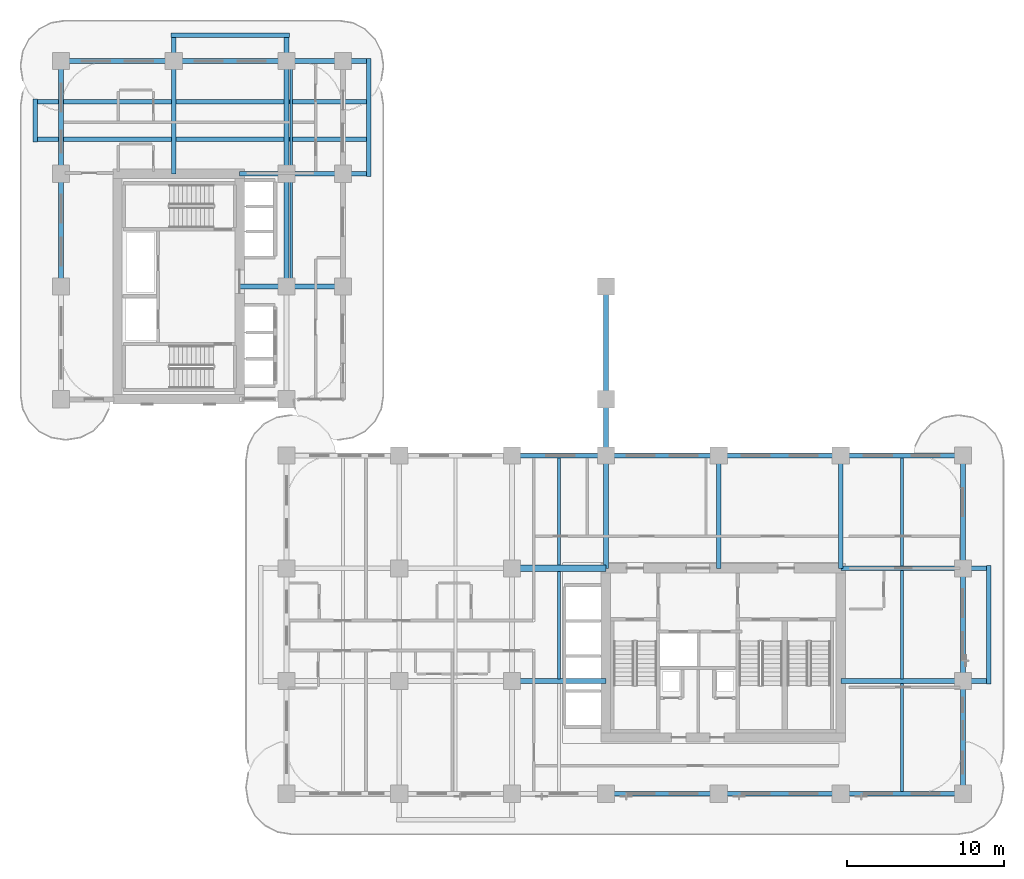
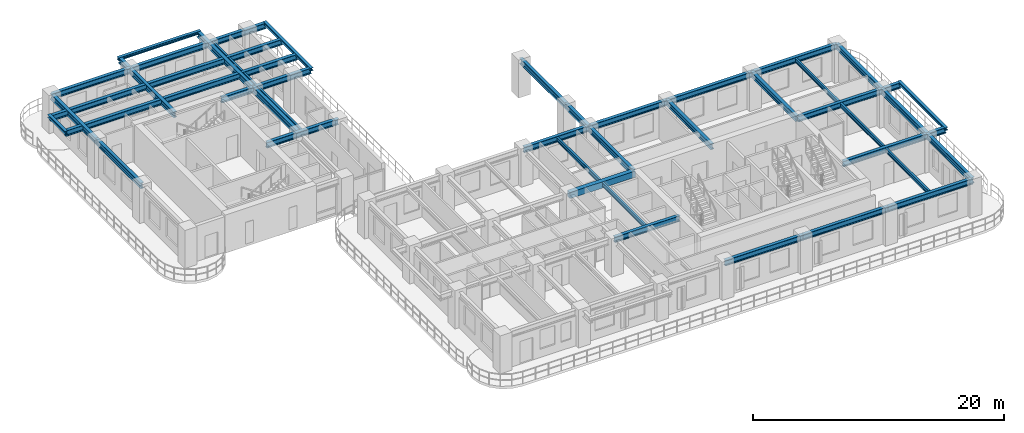
# One storey, part 3 of 19: 41 beams.
"""IFC4 building model written with IfcOpenShell, lengths in metres."""

from ifc_helpers import new_model, si_unit, derived_unit, direction, frame, origin, origin_2d, place, context, subcontext, project, spatial, rectangle, i_section, extrude, source, transform, mapped, material, material_profile, profile_set, type_object, type_shapes, element, save


model = new_model("IFC4")

# Units and contexts
model_context = context("Model", 3, precision=1e-05, world=origin(), true_north=direction((0.0, 1.0)))
body_context = subcontext(model_context, "Body", "Model", "MODEL_VIEW")
ifc_project = project(units=[si_unit("LENGTHUNIT", "METRE"), si_unit("AREAUNIT", "SQUARE_METRE"), si_unit("VOLUMEUNIT", "CUBIC_METRE"), si_unit("PLANEANGLEUNIT", "RADIAN"), si_unit("MASSUNIT", "GRAM", prefix="KILO"), si_unit("THERMODYNAMICTEMPERATUREUNIT", "KELVIN"), si_unit("POWERUNIT", "WATT"), derived_unit("THERMALTRANSMITTANCEUNIT", [(si_unit("POWERUNIT", "WATT"), 1), (si_unit("AREAUNIT", "SQUARE_METRE"), -1), (si_unit("THERMODYNAMICTEMPERATUREUNIT", "KELVIN"), -1)])], contexts=[model_context])

# Site, building, storey
site_placement = place(None, origin())
site = spatial("IfcSite", under=ifc_project, at=site_placement, CompositionType="ELEMENT")
building_placement = place(site_placement, origin())
building = spatial("IfcBuilding", under=site, at=building_placement, Name="Zahravan Archway Hotel and Residences", CompositionType="ELEMENT")
storey_placement = place(building_placement, frame((0.0, 0.0, 32.39990234375)))
storey = spatial("IfcBuildingStorey", under=building, at=storey_placement, Name="L06", CompositionType="ELEMENT", Elevation=32.39990234375)

# Beams
ifc_material_1 = material(Name="Structural Steel S355JR", Category="steel")
ifc_material_profile_1 = material_profile(ifc_material_1, i_section(OverallWidth=0.280029296875, OverallDepth=0.280029296875, WebThickness=0.010498046875, FlangeThickness=0.01806640625, FilletRadius=0.02392578125, at=origin_2d()), Name="HEB 280", Category="steel")
ifc_profile_set_1 = profile_set([ifc_material_profile_1], Name="Structural Steel S355JR")
beam_type_1 = type_object("IfcBeamType", Name="BM-SPN-HEB280", PredefinedType="SPANDREL", material=ifc_profile_set_1)
shared_shape_1 = source(origin(), body_context, "Body", "SweptSolid", [
    extrude(i_section(OverallWidth=0.280029296875, OverallDepth=0.280029296875, WebThickness=0.010498046875, FlangeThickness=0.01806640625, FilletRadius=0.02392578125, at=origin_2d()), origin(), (0.0, 0.0, 1.0), 7.56005859375),
])
type_shapes(beam_type_1, [shared_shape_1])
for number, where, z_axis, x_axis, name in (
    (1, (59.25, 7.02001953125, 3.31005859375), (0.0, 1.0, 0.0), (-1.0, 0.0, 0.0), "L07 EA Balcony Edge Spandrel"),
    (2, (19.64990234375, 39.419921875, 3.31005859375), (0.0, 1.0, 0.0), (-1.0, 0.0, 0.0), "L07 EB Balcony Edge Spandrel"),
    (3, (7.02001953125, 48.449951171875, 3.31005859375), (1.0, 0.0, 0.0), (0.0, 1.0, 0.0), "L07 NB Balcony Edge Spandrel"),
):
    element("IfcBeam", number, at=place(storey_placement, frame(where, z_axis=z_axis, x_axis=x_axis)), inside=storey, type_object=beam_type_1, Name=name, PredefinedType="SPANDREL", context=body_context, shape_type="MappedRepresentation", body=[
        mapped(shared_shape_1, transform((0.0, 0.0, 0.0), scale=1.0)),
    ])
shared_shape_2 = source(origin(), body_context, "Body", "SweptSolid", [
    extrude(i_section(OverallWidth=0.280029296875, OverallDepth=0.280029296875, WebThickness=0.010498046875, FlangeThickness=0.01806640625, FilletRadius=0.02392578125, at=origin_2d()), origin(), (0.0, 0.0, 1.0), 2.759765625),
])
beam_1_placement = place(storey_placement, frame((-1.64990234375, 41.6201171875, 3.31005859375), z_axis=(0.0, 1.0, 0.0), x_axis=(-1.0, 0.0, 0.0)))
element("IfcBeam", 4, at=beam_1_placement, inside=storey, type_object=beam_type_1, Name="L07 WB Balcony Edge Spandrel", PredefinedType="SPANDREL", context=body_context, shape_type="MappedRepresentation", body=[
    mapped(shared_shape_2, transform((0.0, 0.0, 0.0), scale=1.0)),
])
ifc_material_2 = material(Name="Concrete C60/75", Category="concrete")
ifc_material_profile_2 = material_profile(ifc_material_2, rectangle(XDim=0.39990234375, YDim=0.60009765625, at=origin_2d()), Name="RC-LNT-400x600", Category="concrete")
ifc_profile_set_2 = profile_set([ifc_material_profile_2], Name="Concrete C60/75")
beam_type_2 = type_object("IfcBeamType", Name="LNT-RC-400x600", PredefinedType="LINTEL", material=ifc_profile_set_2)
shared_shape_3 = source(origin(), body_context, "Body", "SweptSolid", [
    extrude(rectangle(XDim=0.39990234375, YDim=0.60009765625, at=origin_2d()), origin(), (0.0, 0.0, 1.0), 6.0),
])
type_shapes(beam_type_2, [shared_shape_3])
beam_2_placement = place(storey_placement, frame((28.800048828125, 14.39990234375, 3.150146484375), z_axis=(1.0, 0.0, 0.0), x_axis=(0.0, 1.0, 0.0)))
element("IfcBeam", 5, at=beam_2_placement, inside=storey, type_object=beam_type_2, Name="L06 Core A Coupling Lintel Beam", PredefinedType="LINTEL", context=body_context, shape_type="MappedRepresentation", body=[
    mapped(shared_shape_3, transform((0.0, 0.0, 0.0), scale=1.0)),
])
ifc_material_profile_3 = material_profile(ifc_material_1, i_section(OverallWidth=0.300048828125, OverallDepth=0.550048828125, WebThickness=0.014892578125, FlangeThickness=0.029052734375, FilletRadius=0.027099609375, at=origin_2d()), Name="HEB 550", Category="steel")
ifc_profile_set_3 = profile_set([ifc_material_profile_3], Name="Structural Steel S355JR")
beam_type_3 = type_object("IfcBeamType", Name="BM-PRI-HEB550", PredefinedType="BEAM", material=ifc_profile_set_3)
shared_shape_4 = source(origin(), body_context, "Body", "SweptSolid", [
    extrude(i_section(OverallWidth=0.300048828125, OverallDepth=0.550048828125, WebThickness=0.014892578125, FlangeThickness=0.029052734375, FilletRadius=0.027099609375, at=origin_2d()), origin(), (0.0, 0.0, 1.0), 7.2001953125),
])
type_shapes(beam_type_3, [shared_shape_4])
for number, where, z_axis, x_axis, name in (
    (6, (0.0, 32.39990234375, 3.175048828125), (0.0, 1.0, 0.0), (-1.0, 0.0, 0.0), "L06 Primary Girder NS-28"),
    (7, (14.39990234375, 32.39990234375, 3.175048828125), (0.0, 1.0, 0.0), (-1.0, 0.0, 0.0), "L06 Primary Girder NS-35"),
    (8, (34.800048828125, 14.39990234375, 3.175048828125), (0.0, 1.0, 0.0), (-1.0, 0.0, 0.0), "L06 Primary Girder NS-43"),
    (9, (42.0, 14.39990234375, 3.175048828125), (0.0, 1.0, 0.0), (-1.0, 0.0, 0.0), "L06 Primary Girder NS-46"),
    (10, (49.800048828125, 14.39990234375, 3.175048828125), (0.0, 1.0, 0.0), (-1.0, 0.0, 0.0), "L06 Primary Girder NS-47"),
    (11, (57.60009765625, 14.39990234375, 3.175048828125), (0.0, 1.0, 0.0), (-1.0, 0.0, 0.0), "L06 Primary Girder NS-50"),
):
    element("IfcBeam", number, at=place(storey_placement, frame(where, z_axis=z_axis, x_axis=x_axis)), inside=storey, type_object=beam_type_3, Name=name, PredefinedType="BEAM", context=body_context, shape_type="MappedRepresentation", body=[
        mapped(shared_shape_4, transform((0.0, 0.0, 0.0), scale=1.0)),
    ])
shared_shape_5 = source(origin(), body_context, "Body", "SweptSolid", [
    extrude(i_section(OverallWidth=0.300048828125, OverallDepth=0.550048828125, WebThickness=0.014892578125, FlangeThickness=0.029052734375, FilletRadius=0.027099609375, at=origin_2d()), origin(), (0.0, 0.0, 1.0), 7.199951171875),
])
for number, where, z_axis, x_axis, name in (
    (12, (34.800048828125, 0.0, 3.175048828125), (1.0, 0.0, 0.0), (0.0, 1.0, 0.0), "L06 Primary Girder EW-04"),
    (13, (34.800048828125, 21.60009765625, 3.175048828125), (1.0, 0.0, 0.0), (0.0, 1.0, 0.0), "L06 Primary Girder EW-17"),
    (14, (0.0, 46.800048828125, 3.175048828125), (1.0, 0.0, 0.0), (0.0, 1.0, 0.0), "L06 Primary Girder EW-23"),
    (15, (0.0, 39.60009765625, 3.175048828125), (0.0, 1.0, 0.0), (-1.0, 0.0, 0.0), "L06 Primary Girder NS-29"),
    (16, (34.800048828125, 25.199951171875, 3.175048828125), (0.0, 1.0, 0.0), (-1.0, 0.0, 0.0), "L06 Primary Girder NS-45"),
    (17, (57.60009765625, 0.0, 3.175048828125), (0.0, 1.0, 0.0), (-1.0, 0.0, 0.0), "L06 Primary Girder NS-48"),
    (18, (57.60009765625, 7.199951171875, 3.175048828125), (0.0, 1.0, 0.0), (-1.0, 0.0, 0.0), "L06 Primary Girder NS-49"),
):
    element("IfcBeam", number, at=place(storey_placement, frame(where, z_axis=z_axis, x_axis=x_axis)), inside=storey, type_object=beam_type_3, Name=name, PredefinedType="BEAM", context=body_context, shape_type="MappedRepresentation", body=[
        mapped(shared_shape_5, transform((0.0, 0.0, 0.0), scale=1.0)),
    ])
shared_shape_6 = source(origin(), body_context, "Body", "SweptSolid", [
    extrude(i_section(OverallWidth=0.300048828125, OverallDepth=0.550048828125, WebThickness=0.014892578125, FlangeThickness=0.029052734375, FilletRadius=0.027099609375, at=origin_2d()), origin(), (0.0, 0.0, 1.0), 6.0),
])
for number, where, z_axis, x_axis, name in (
    (19, (28.800048828125, 7.199951171875, 3.175048828125), (1.0, 0.0, 0.0), (0.0, 1.0, 0.0), "L06 Primary Girder EW-09"),
    (20, (28.800048828125, 21.60009765625, 3.175048828125), (1.0, 0.0, 0.0), (0.0, 1.0, 0.0), "L06 Primary Girder EW-16"),
):
    element("IfcBeam", number, at=place(storey_placement, frame(where, z_axis=z_axis, x_axis=x_axis)), inside=storey, type_object=beam_type_3, Name=name, PredefinedType="BEAM", context=body_context, shape_type="MappedRepresentation", body=[
        mapped(shared_shape_6, transform((0.0, 0.0, 0.0), scale=1.0)),
    ])
shared_shape_7 = source(origin(), body_context, "Body", "SweptSolid", [
    extrude(i_section(OverallWidth=0.300048828125, OverallDepth=0.550048828125, WebThickness=0.014892578125, FlangeThickness=0.029052734375, FilletRadius=0.027099609375, at=origin_2d()), origin(), (0.0, 0.0, 1.0), 7.800048828125),
])
for number, where, z_axis, x_axis, name in (
    (21, (42.0, 0.0, 3.175048828125), (1.0, 0.0, 0.0), (0.0, 1.0, 0.0), "L06 Primary Girder EW-05"),
    (22, (49.800048828125, 0.0, 3.175048828125), (1.0, 0.0, 0.0), (0.0, 1.0, 0.0), "L06 Primary Girder EW-06"),
    (23, (42.0, 21.60009765625, 3.175048828125), (1.0, 0.0, 0.0), (0.0, 1.0, 0.0), "L06 Primary Girder EW-18"),
    (24, (49.800048828125, 21.60009765625, 3.175048828125), (1.0, 0.0, 0.0), (0.0, 1.0, 0.0), "L06 Primary Girder EW-19"),
):
    element("IfcBeam", number, at=place(storey_placement, frame(where, z_axis=z_axis, x_axis=x_axis)), inside=storey, type_object=beam_type_3, Name=name, PredefinedType="BEAM", context=body_context, shape_type="MappedRepresentation", body=[
        mapped(shared_shape_7, transform((0.0, 0.0, 0.0), scale=1.0)),
    ])
shared_shape_8 = source(origin(), body_context, "Body", "SweptSolid", [
    extrude(i_section(OverallWidth=0.300048828125, OverallDepth=0.550048828125, WebThickness=0.014892578125, FlangeThickness=0.029052734375, FilletRadius=0.027099609375, at=origin_2d()), origin(), (0.0, 0.0, 1.0), 9.449951171875),
])
for number, where, z_axis, x_axis, name in (
    (25, (49.800048828125, 7.199951171875, 3.175048828125), (1.0, 0.0, 0.0), (0.0, 1.0, 0.0), "L06 Primary Girder EW-10"),
    (26, (49.800048828125, 14.39990234375, 3.175048828125), (1.0, 0.0, 0.0), (0.0, 1.0, 0.0), "L06 Primary Girder EW-13"),
):
    element("IfcBeam", number, at=place(storey_placement, frame(where, z_axis=z_axis, x_axis=x_axis)), inside=storey, type_object=beam_type_3, Name=name, PredefinedType="BEAM", context=body_context, shape_type="MappedRepresentation", body=[
        mapped(shared_shape_8, transform((0.0, 0.0, 0.0), scale=1.0)),
    ])
shared_shape_9 = source(origin(), body_context, "Body", "SweptSolid", [
    extrude(i_section(OverallWidth=0.300048828125, OverallDepth=0.550048828125, WebThickness=0.014892578125, FlangeThickness=0.029052734375, FilletRadius=0.027099609375, at=origin_2d()), origin(), (0.0, 0.0, 1.0), 6.60009765625),
])
beam_3_placement = place(storey_placement, frame((11.39990234375, 32.39990234375, 3.175048828125), z_axis=(1.0, 0.0, 0.0), x_axis=(0.0, 1.0, 0.0)))
element("IfcBeam", 27, at=beam_3_placement, inside=storey, type_object=beam_type_3, Name="L06 Primary Girder EW-21", PredefinedType="BEAM", context=body_context, shape_type="MappedRepresentation", body=[
    mapped(shared_shape_9, transform((0.0, 0.0, 0.0), scale=1.0)),
])
shared_shape_10 = source(origin(), body_context, "Body", "SweptSolid", [
    extrude(i_section(OverallWidth=0.300048828125, OverallDepth=0.550048828125, WebThickness=0.014892578125, FlangeThickness=0.029052734375, FilletRadius=0.027099609375, at=origin_2d()), origin(), (0.0, 0.0, 1.0), 8.25),
])
beam_4_placement = place(storey_placement, frame((11.39990234375, 39.60009765625, 3.175048828125), z_axis=(1.0, 0.0, 0.0), x_axis=(0.0, 1.0, 0.0)))
element("IfcBeam", 28, at=beam_4_placement, inside=storey, type_object=beam_type_3, Name="L06 Primary Girder EW-22", PredefinedType="BEAM", context=body_context, shape_type="MappedRepresentation", body=[
    mapped(shared_shape_10, transform((0.0, 0.0, 0.0), scale=1.0)),
])
shared_shape_11 = source(origin(), body_context, "Body", "SweptSolid", [
    extrude(i_section(OverallWidth=0.300048828125, OverallDepth=0.550048828125, WebThickness=0.014892578125, FlangeThickness=0.029052734375, FilletRadius=0.027099609375, at=origin_2d()), origin(), (0.0, 0.0, 1.0), 12.449951171875),
])
beam_5_placement = place(storey_placement, frame((7.199951171875, 46.800048828125, 3.175048828125), z_axis=(1.0, 0.0, 0.0), x_axis=(0.0, 1.0, 0.0)))
element("IfcBeam", 29, at=beam_5_placement, inside=storey, type_object=beam_type_3, Name="L06 Primary Girder EW-24", PredefinedType="BEAM", context=body_context, shape_type="MappedRepresentation", body=[
    mapped(shared_shape_11, transform((0.0, 0.0, 0.0), scale=1.0)),
])
shared_shape_12 = source(origin(), body_context, "Body", "SweptSolid", [
    extrude(i_section(OverallWidth=0.300048828125, OverallDepth=0.550048828125, WebThickness=0.014892578125, FlangeThickness=0.029052734375, FilletRadius=0.027099609375, at=origin_2d()), origin(), (0.0, 0.0, 1.0), 21.2998046875),
])
for number, where, z_axis, x_axis, name in (
    (30, (-1.64990234375, 41.800048828125, 3.175048828125), (1.0, 0.0, 0.0), (0.0, 1.0, 0.0), "L06 Primary Girder EW-25"),
    (31, (-1.64990234375, 44.199951171875, 3.175048828125), (1.0, 0.0, 0.0), (0.0, 1.0, 0.0), "L06 Primary Girder EW-26"),
):
    element("IfcBeam", number, at=place(storey_placement, frame(where, z_axis=z_axis, x_axis=x_axis)), inside=storey, type_object=beam_type_3, Name=name, PredefinedType="BEAM", context=body_context, shape_type="MappedRepresentation", body=[
        mapped(shared_shape_12, transform((0.0, 0.0, 0.0), scale=1.0)),
    ])
shared_shape_13 = source(origin(), body_context, "Body", "SweptSolid", [
    extrude(i_section(OverallWidth=0.300048828125, OverallDepth=0.550048828125, WebThickness=0.014892578125, FlangeThickness=0.029052734375, FilletRadius=0.027099609375, at=origin_2d()), origin(), (0.0, 0.0, 1.0), 8.849853515625),
])
for number, where, z_axis, x_axis, name in (
    (32, (7.199951171875, 39.60009765625, 3.175048828125), (0.0, 1.0, 0.0), (-1.0, 0.0, 0.0), "L06 Primary Girder NS-30"),
    (33, (14.39990234375, 39.60009765625, 3.175048828125), (0.0, 1.0, 0.0), (-1.0, 0.0, 0.0), "L06 Primary Girder NS-36"),
):
    element("IfcBeam", number, at=place(storey_placement, frame(where, z_axis=z_axis, x_axis=x_axis)), inside=storey, type_object=beam_type_3, Name=name, PredefinedType="BEAM", context=body_context, shape_type="MappedRepresentation", body=[
        mapped(shared_shape_13, transform((0.0, 0.0, 0.0), scale=1.0)),
    ])
shared_shape_14 = source(origin(), body_context, "Body", "SweptSolid", [
    extrude(i_section(OverallWidth=0.300048828125, OverallDepth=0.550048828125, WebThickness=0.014892578125, FlangeThickness=0.029052734375, FilletRadius=0.027099609375, at=origin_2d()), origin(), (0.0, 0.0, 1.0), 3.599853515625),
])
beam_6_placement = place(storey_placement, frame((34.800048828125, 21.60009765625, 3.175048828125), z_axis=(0.0, 1.0, 0.0), x_axis=(-1.0, 0.0, 0.0)))
element("IfcBeam", 34, at=beam_6_placement, inside=storey, type_object=beam_type_3, Name="L06 Primary Girder NS-44", PredefinedType="BEAM", context=body_context, shape_type="MappedRepresentation", body=[
    mapped(shared_shape_14, transform((0.0, 0.0, 0.0), scale=1.0)),
])
ifc_material_profile_4 = material_profile(ifc_material_1, i_section(OverallWidth=0.179931640625, OverallDepth=0.39990234375, WebThickness=0.008544921875, FlangeThickness=0.013427734375, FilletRadius=0.02099609375, at=origin_2d()), Name="IPE 400", Category="steel")
ifc_profile_set_4 = profile_set([ifc_material_profile_4], Name="Structural Steel S355JR")
beam_type_4 = type_object("IfcBeamType", Name="BM-JST-IPE400", PredefinedType="JOIST", material=ifc_profile_set_4)
shared_shape_15 = source(origin(), body_context, "Body", "SweptSolid", [
    extrude(i_section(OverallWidth=0.179931640625, OverallDepth=0.39990234375, WebThickness=0.008544921875, FlangeThickness=0.013427734375, FilletRadius=0.02099609375, at=origin_2d()), origin(), (0.0, 0.0, 1.0), 6.904052734375),
])
type_shapes(beam_type_4, [shared_shape_15])
for number, where, z_axis, x_axis, name in (
    (35, (53.699951171875, 0.14794921875, 3.25), (0.0, 1.0, 0.0), (-1.0, 0.0, 0.0), "L06 Composite Floor Joist 04"),
    (36, (53.699951171875, 7.347900390625, 3.25), (0.0, 1.0, 0.0), (-1.0, 0.0, 0.0), "L06 Composite Floor Joist 08"),
    (37, (14.699951171875, 39.748046875, 3.25), (0.0, 1.0, 0.0), (-1.0, 0.0, 0.0), "L06 Composite Floor Joist 14"),
):
    element("IfcBeam", number, at=place(storey_placement, frame(where, z_axis=z_axis, x_axis=x_axis)), inside=storey, type_object=beam_type_4, Name=name, PredefinedType="JOIST", context=body_context, shape_type="MappedRepresentation", body=[
        mapped(shared_shape_15, transform((0.0, 0.0, 0.0), scale=1.0)),
    ])
shared_shape_16 = source(origin(), body_context, "Body", "SweptSolid", [
    extrude(i_section(OverallWidth=0.179931640625, OverallDepth=0.39990234375, WebThickness=0.008544921875, FlangeThickness=0.013427734375, FilletRadius=0.02099609375, at=origin_2d()), origin(), (0.0, 0.0, 1.0), 6.85400390625),
])
for number, where, z_axis, x_axis, name in (
    (38, (31.800048828125, 7.347900390625, 3.25), (0.0, 1.0, 0.0), (-1.0, 0.0, 0.0), "L06 Composite Floor Joist 07"),
    (39, (31.800048828125, 14.597900390625, 3.25), (0.0, 1.0, 0.0), (-1.0, 0.0, 0.0), "L06 Composite Floor Joist 09"),
):
    element("IfcBeam", number, at=place(storey_placement, frame(where, z_axis=z_axis, x_axis=x_axis)), inside=storey, type_object=beam_type_4, Name=name, PredefinedType="JOIST", context=body_context, shape_type="MappedRepresentation", body=[
        mapped(shared_shape_16, transform((0.0, 0.0, 0.0), scale=1.0)),
    ])
shared_shape_17 = source(origin(), body_context, "Body", "SweptSolid", [
    extrude(i_section(OverallWidth=0.179931640625, OverallDepth=0.39990234375, WebThickness=0.008544921875, FlangeThickness=0.013427734375, FilletRadius=0.02099609375, at=origin_2d()), origin(), (0.0, 0.0, 1.0), 6.90380859375),
])
for number, where, z_axis, x_axis, name in (
    (40, (53.699951171875, 14.548095703125, 3.25), (0.0, 1.0, 0.0), (-1.0, 0.0, 0.0), "L06 Composite Floor Joist 12"),
    (41, (14.699951171875, 32.548095703125, 3.25), (0.0, 1.0, 0.0), (-1.0, 0.0, 0.0), "L06 Composite Floor Joist 13"),
):
    element("IfcBeam", number, at=place(storey_placement, frame(where, z_axis=z_axis, x_axis=x_axis)), inside=storey, type_object=beam_type_4, Name=name, PredefinedType="JOIST", context=body_context, shape_type="MappedRepresentation", body=[
        mapped(shared_shape_17, transform((0.0, 0.0, 0.0), scale=1.0)),
    ])

save(model, "model.ifc")
